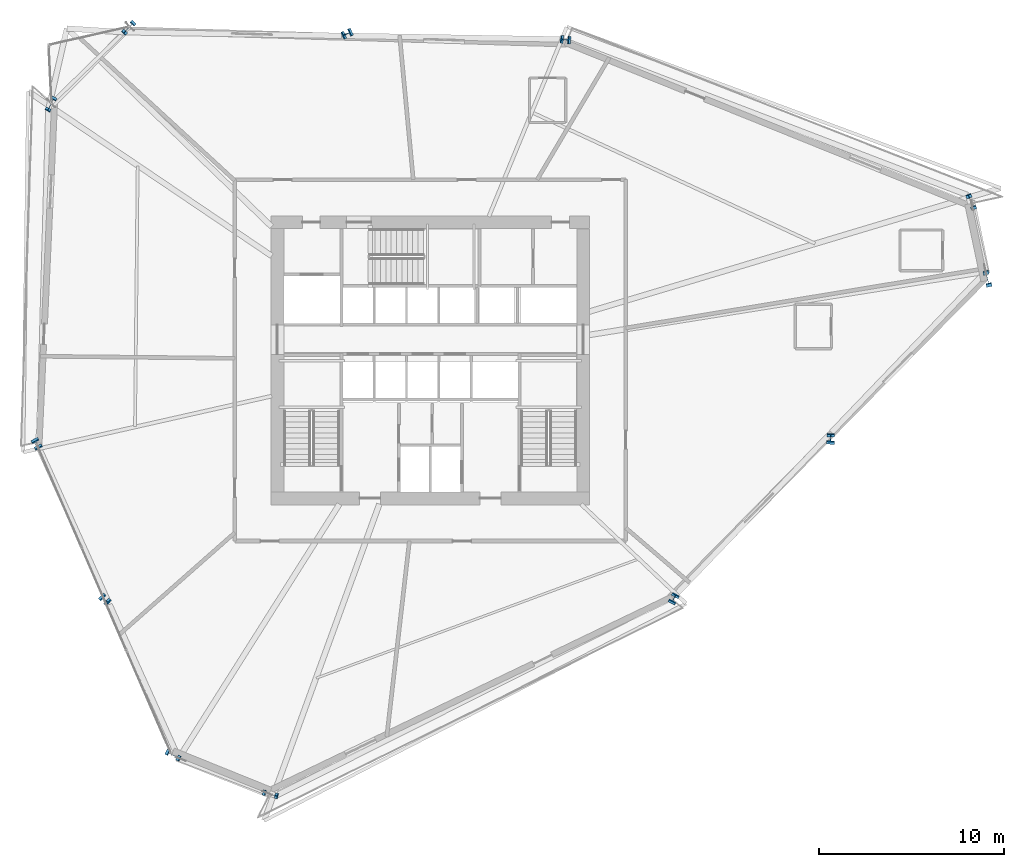
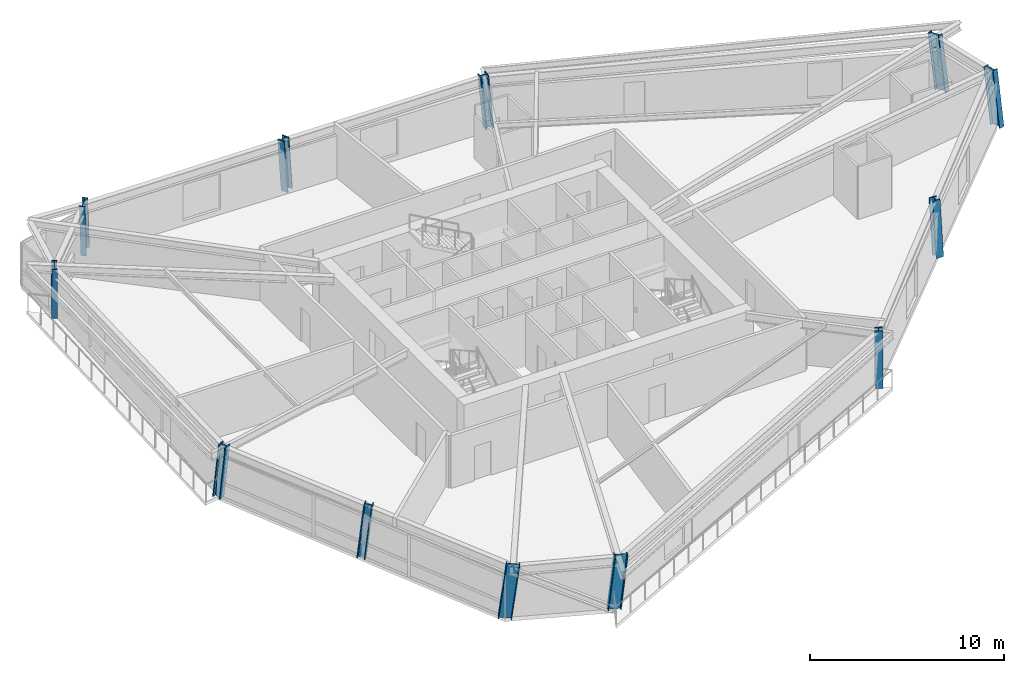
# One storey, part 1 of 19: 12 columns.
"""IFC4 building model written with IfcOpenShell, lengths in metres."""

from ifc_helpers import new_model, si_unit, direction, frame, origin, origin_2d, place, context, subcontext, project, spatial, i_section, extrude, source, transform, mapped, material, material_profile, profile_set, type_object, element, save


model = new_model("IFC4")

# Units and contexts
model_context = context("Model", 3, precision=1e-05, world=origin(), true_north=direction((0.0, 1.0)))
body_context = subcontext(model_context, "Body", "Model", "MODEL_VIEW")
ifc_project = project(units=[si_unit("LENGTHUNIT", "METRE"), si_unit("AREAUNIT", "SQUARE_METRE"), si_unit("VOLUMEUNIT", "CUBIC_METRE"), si_unit("PLANEANGLEUNIT", "RADIAN"), si_unit("MASSUNIT", "GRAM", prefix="KILO")], contexts=[model_context])

# Site, building, storey
site_placement = place(None, origin())
site = spatial("IfcSite", under=ifc_project, at=site_placement, CompositionType="ELEMENT")
building_placement = place(site_placement, origin())
building = spatial("IfcBuilding", under=site, at=building_placement, Name="Olszyna Solenne Hotel", CompositionType="ELEMENT")
storey_placement = place(building_placement, frame((0.0, 0.0, 84.39990234375)))
storey = spatial("IfcBuildingStorey", under=building, at=storey_placement, Name="L21", CompositionType="ELEMENT", Elevation=84.39990234375)

# Columns
ifc_material = material(Name="Steel S460M", Category="steel")
ifc_material_profile_1 = material_profile(ifc_material, i_section(OverallWidth=0.303955078125, OverallDepth=0.716064453125, WebThickness=0.02099609375, FlangeThickness=0.0400390625, at=origin_2d()), Name="HEM 700", Category="load-bearing")
ifc_profile_set_1 = profile_set([ifc_material_profile_1], Name="Steel S460M")
column_type_1 = type_object("IfcColumnType", Name="COL-K2", PredefinedType="COLUMN", material=ifc_profile_set_1)
shared_shape_1 = source(origin(), body_context, "Body", "SweptSolid", [
    extrude(i_section(OverallWidth=0.303955078125, OverallDepth=0.716064453125, WebThickness=0.02099609375, FlangeThickness=0.0400390625, at=origin_2d()), origin(), (0.0, 0.0, 1.0), 3.4208984375),
])
column_1_placement = place(storey_placement, frame((68.081298828125, 30.911376953125, 0.0), z_axis=(-0.034755185422, 0.140376693481, 0.989487979216), x_axis=(-0.970691537398, -0.240328814801, 0.0)))
element("IfcColumn", 1, at=column_1_placement, inside=storey, type_object=column_type_1, Name="Perimeter framed-tube column COL-K2 C-L21-01", PredefinedType="COLUMN", context=body_context, shape_type="MappedRepresentation", body=[
    mapped(shared_shape_1, transform((0.0, 0.0, 0.0), x_axis=(1.0, 0.0, 0.0), y_axis=(0.0, 1.0, 0.0), z_axis=(0.0, 0.0, 1.0), scale=1.0)),
])
shared_shape_2 = source(origin(), body_context, "Body", "SweptSolid", [
    extrude(i_section(OverallWidth=0.303955078125, OverallDepth=0.716064453125, WebThickness=0.02099609375, FlangeThickness=0.0400390625, at=origin_2d()), origin(), (0.0, 0.0, 1.0), 3.41650390625),
])
column_2_placement = place(storey_placement, frame((67.208740234375, 35.069091796875, 0.0), z_axis=(-0.051377824628, 0.12555053946, 0.990755964493), x_axis=(-0.925504996746, -0.378735397075, 0.0)))
element("IfcColumn", 2, at=column_2_placement, inside=storey, type_object=column_type_1, Name="Perimeter framed-tube column COL-K2 C-L21-02", PredefinedType="COLUMN", context=body_context, shape_type="MappedRepresentation", body=[
    mapped(shared_shape_2, transform((0.0, 0.0, 0.0), x_axis=(1.0, 0.0, 0.0), y_axis=(0.0, 1.0, 0.0), z_axis=(0.0, 0.0, 1.0), scale=1.0)),
])
ifc_material_profile_2 = material_profile(ifc_material, i_section(OverallWidth=0.41796875, OverallDepth=0.455078125, WebThickness=0.03759765625, FlangeThickness=0.05908203125, at=origin_2d()), Name="HD 400x551", Category="load-bearing")
ifc_profile_set_2 = profile_set([ifc_material_profile_2], Name="Steel S460M")
column_type_2 = type_object("IfcColumnType", Name="COL-T2", PredefinedType="COLUMN", material=ifc_profile_set_2)
shared_shape_3 = source(origin(), body_context, "Body", "SweptSolid", [
    extrude(i_section(OverallWidth=0.41796875, OverallDepth=0.455078125, WebThickness=0.03759765625, FlangeThickness=0.05908203125, at=origin_2d()), origin(), (0.0, 0.0, 1.0), 3.398193359375),
])
column_3_placement = place(storey_placement, frame((45.345458984375, 43.88916015625, 0.0), z_axis=(-0.087649140389, 0.008980444712, 0.996110927458), x_axis=(-0.101925414299, -0.994792043555, 0.0)))
element("IfcColumn", 3, at=column_3_placement, inside=storey, type_object=column_type_2, Name="Perimeter framed-tube column COL-T2 C-L21-03", PredefinedType="COLUMN", context=body_context, shape_type="MappedRepresentation", body=[
    mapped(shared_shape_3, transform((0.0, 0.0, 0.0), x_axis=(1.0, 0.0, 0.0), y_axis=(0.0, 1.0, 0.0), z_axis=(0.0, 0.0, 1.0), scale=1.0)),
])
shared_shape_4 = source(origin(), body_context, "Body", "SweptSolid", [
    extrude(i_section(OverallWidth=0.41796875, OverallDepth=0.455078125, WebThickness=0.03759765625, FlangeThickness=0.05908203125, at=origin_2d()), origin(), (0.0, 0.0, 1.0), 3.399658203125),
])
column_4_placement = place(storey_placement, frame((33.563232421875, 44.243408203125, 0.0), z_axis=(-0.084022804734, -0.038851570394, 0.995706143279), x_axis=(0.419697619943, -0.90766398398, 0.0)))
element("IfcColumn", 4, at=column_4_placement, inside=storey, type_object=column_type_2, Name="Perimeter framed-tube column COL-T2 C-L21-04", PredefinedType="COLUMN", context=body_context, shape_type="MappedRepresentation", body=[
    mapped(shared_shape_4, transform((0.0, 0.0, 0.0), x_axis=(1.0, 0.0, 0.0), y_axis=(0.0, 1.0, 0.0), z_axis=(0.0, 0.0, 1.0), scale=1.0)),
])
shared_shape_5 = source(origin(), body_context, "Body", "SweptSolid", [
    extrude(i_section(OverallWidth=0.303955078125, OverallDepth=0.716064453125, WebThickness=0.02099609375, FlangeThickness=0.0400390625, at=origin_2d()), origin(), (0.0, 0.0, 1.0), 3.40869140625),
])
column_5_placement = place(storey_placement, frame((21.78076171875, 44.597900390625, 0.0), z_axis=(-0.080144098224, -0.086446761891, 0.993027633492), x_axis=(0.733334244993, -0.679868285126, 0.0)))
element("IfcColumn", 5, at=column_5_placement, inside=storey, type_object=column_type_1, Name="Perimeter framed-tube column COL-K2 C-L21-05", PredefinedType="COLUMN", context=body_context, shape_type="MappedRepresentation", body=[
    mapped(shared_shape_5, transform((0.0, 0.0, 0.0), x_axis=(1.0, 0.0, 0.0), y_axis=(0.0, 1.0, 0.0), z_axis=(0.0, 0.0, 1.0), scale=1.0)),
])
shared_shape_6 = source(origin(), body_context, "Body", "SweptSolid", [
    extrude(i_section(OverallWidth=0.303955078125, OverallDepth=0.716064453125, WebThickness=0.02099609375, FlangeThickness=0.0400390625, at=origin_2d()), origin(), (0.0, 0.0, 1.0), 3.404541015625),
])
column_6_placement = place(storey_placement, frame((17.56689453125, 40.4853515625, 0.0), z_axis=(-0.050124012866, -0.094798204591, 0.99423381744), x_axis=(0.884031784185, -0.467426790579, 0.0)))
element("IfcColumn", 6, at=column_6_placement, inside=storey, type_object=column_type_1, Name="Perimeter framed-tube column COL-K2 C-L21-06", PredefinedType="COLUMN", context=body_context, shape_type="MappedRepresentation", body=[
    mapped(shared_shape_6, transform((0.0, 0.0, 0.0), x_axis=(1.0, 0.0, 0.0), y_axis=(0.0, 1.0, 0.0), z_axis=(0.0, 0.0, 1.0), scale=1.0)),
])
shared_shape_7 = source(origin(), body_context, "Body", "SweptSolid", [
    extrude(i_section(OverallWidth=0.41796875, OverallDepth=0.455078125, WebThickness=0.03759765625, FlangeThickness=0.05908203125, at=origin_2d()), origin(), (0.0, 0.0, 1.0), 3.403564453125),
])
column_7_placement = place(storey_placement, frame((16.734130859375, 22.15625, 0.0), z_axis=(0.048347568134, -0.092176001561, 0.994568296997), x_axis=(0.885575109811, 0.464496205457, 0.0)))
element("IfcColumn", 7, at=column_7_placement, inside=storey, type_object=column_type_2, Name="Perimeter framed-tube column COL-T2 C-L21-07", PredefinedType="COLUMN", context=body_context, shape_type="MappedRepresentation", body=[
    mapped(shared_shape_7, transform((0.0, 0.0, 0.0), x_axis=(1.0, 0.0, 0.0), y_axis=(0.0, 1.0, 0.0), z_axis=(0.0, 0.0, 1.0), scale=1.0)),
])
shared_shape_8 = source(origin(), body_context, "Body", "SweptSolid", [
    extrude(i_section(OverallWidth=0.41796875, OverallDepth=0.455078125, WebThickness=0.03759765625, FlangeThickness=0.05908203125, at=origin_2d()), origin(), (0.0, 0.0, 1.0), 3.4052734375),
])
column_8_placement = place(storey_placement, frame((20.392822265625, 13.743408203125, 0.0), z_axis=(0.079506863503, -0.07491855037, 0.994015024769), x_axis=(0.685794461716, 0.727795270855, 0.0)))
element("IfcColumn", 8, at=column_8_placement, inside=storey, type_object=column_type_2, Name="Perimeter framed-tube column COL-T2 C-L21-08", PredefinedType="COLUMN", context=body_context, shape_type="MappedRepresentation", body=[
    mapped(shared_shape_8, transform((0.0, 0.0, 0.0), x_axis=(1.0, 0.0, 0.0), y_axis=(0.0, 1.0, 0.0), z_axis=(0.0, 0.0, 1.0), scale=1.0)),
])
shared_shape_9 = source(origin(), body_context, "Body", "SweptSolid", [
    extrude(i_section(OverallWidth=0.303955078125, OverallDepth=0.716064453125, WebThickness=0.02099609375, FlangeThickness=0.0400390625, at=origin_2d()), origin(), (0.0, 0.0, 1.0), 3.41162109375),
])
column_9_placement = place(storey_placement, frame((24.0517578125, 5.33056640625, 0.0), z_axis=(0.110350236262, -0.057608262121, 0.9922218066), x_axis=(0.462782108562, 0.886472063855, 0.0)))
element("IfcColumn", 9, at=column_9_placement, inside=storey, type_object=column_type_1, Name="Perimeter framed-tube column COL-K2 C-L21-09", PredefinedType="COLUMN", context=body_context, shape_type="MappedRepresentation", body=[
    mapped(shared_shape_9, transform((0.0, 0.0, 0.0), x_axis=(1.0, 0.0, 0.0), y_axis=(0.0, 1.0, 0.0), z_axis=(0.0, 0.0, 1.0), scale=1.0)),
])
shared_shape_10 = source(origin(), body_context, "Body", "SweptSolid", [
    extrude(i_section(OverallWidth=0.303955078125, OverallDepth=0.716064453125, WebThickness=0.02099609375, FlangeThickness=0.0400390625, at=origin_2d()), origin(), (0.0, 0.0, 1.0), 3.405517578125),
])
column_10_placement = place(storey_placement, frame((29.310546875, 3.205810546875, 0.0), z_axis=(0.106170006888, -0.027958340774, 0.993954858542), x_axis=(0.254653998103, 0.967032233822, 0.0)))
element("IfcColumn", 10, at=column_10_placement, inside=storey, type_object=column_type_1, Name="Perimeter framed-tube column COL-K2 C-L21-10", PredefinedType="COLUMN", context=body_context, shape_type="MappedRepresentation", body=[
    mapped(shared_shape_10, transform((0.0, 0.0, 0.0), x_axis=(1.0, 0.0, 0.0), y_axis=(0.0, 1.0, 0.0), z_axis=(0.0, 0.0, 1.0), scale=1.0)),
])
shared_shape_11 = source(origin(), body_context, "Body", "SweptSolid", [
    extrude(i_section(OverallWidth=0.41796875, OverallDepth=0.455078125, WebThickness=0.03759765625, FlangeThickness=0.05908203125, at=origin_2d()), origin(), (0.0, 0.0, 1.0), 3.39892578125),
])
column_11_placement = place(storey_placement, frame((51.105224609375, 13.68701171875, 0.0), z_axis=(0.042450582005, 0.079873176293, 0.995900709808), x_axis=(-0.883033453869, 0.469310046076, 0.0)))
element("IfcColumn", 11, at=column_11_placement, inside=storey, type_object=column_type_2, Name="Perimeter framed-tube column COL-T2 C-L21-11", PredefinedType="COLUMN", context=body_context, shape_type="MappedRepresentation", body=[
    mapped(shared_shape_11, transform((0.0, 0.0, 0.0), x_axis=(1.0, 0.0, 0.0), y_axis=(0.0, 1.0, 0.0), z_axis=(0.0, 0.0, 1.0), scale=1.0)),
])
shared_shape_12 = source(origin(), body_context, "Body", "SweptSolid", [
    extrude(i_section(OverallWidth=0.41796875, OverallDepth=0.455078125, WebThickness=0.03759765625, FlangeThickness=0.05908203125, at=origin_2d()), origin(), (0.0, 0.0, 1.0), 3.40576171875),
])
column_12_placement = place(storey_placement, frame((59.59326171875, 22.299072265625, 0.0), z_axis=(0.003727502518, 0.110391420713, 0.993881200123), x_axis=(-0.999430407751, 0.033747000781, 0.0)))
element("IfcColumn", 12, at=column_12_placement, inside=storey, type_object=column_type_2, Name="Perimeter framed-tube column COL-T2 C-L21-12", PredefinedType="COLUMN", context=body_context, shape_type="MappedRepresentation", body=[
    mapped(shared_shape_12, transform((0.0, 0.0, 0.0), x_axis=(1.0, 0.0, 0.0), y_axis=(0.0, 1.0, 0.0), z_axis=(0.0, 0.0, 1.0), scale=1.0)),
])

save(model, "model.ifc")
